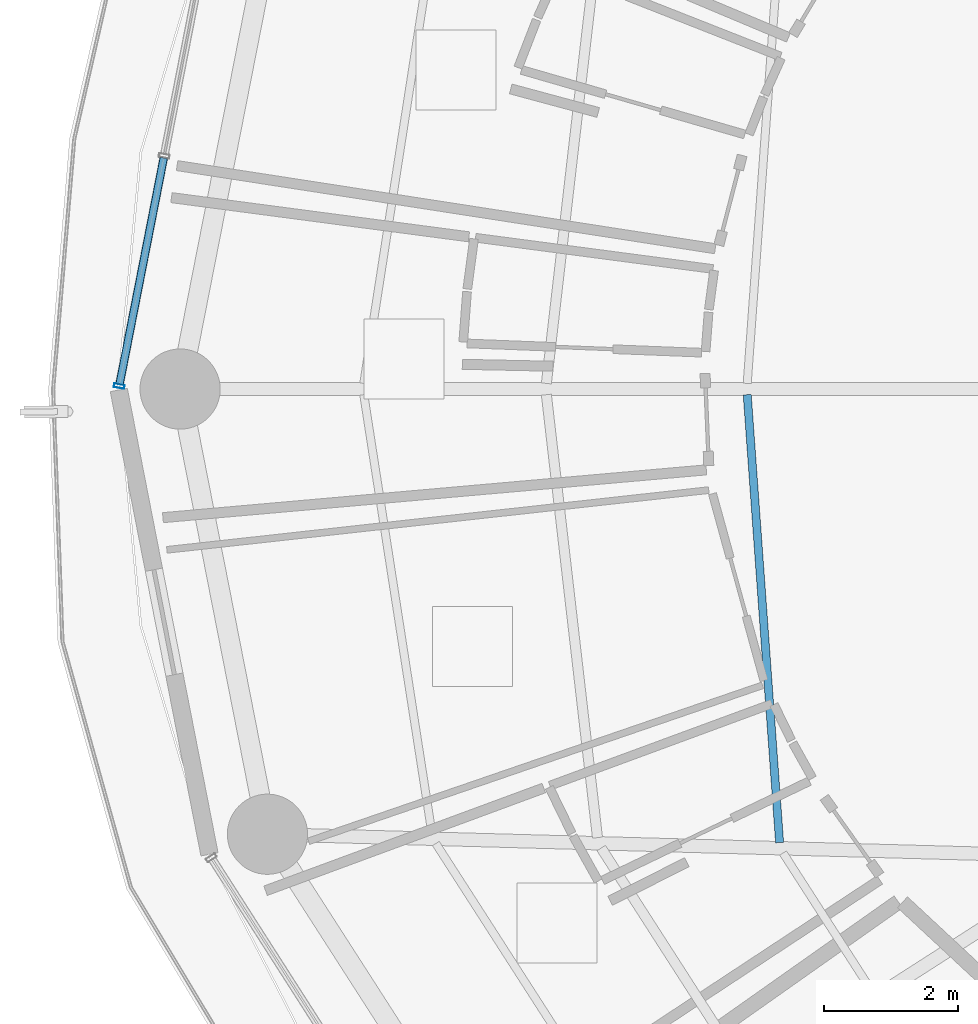
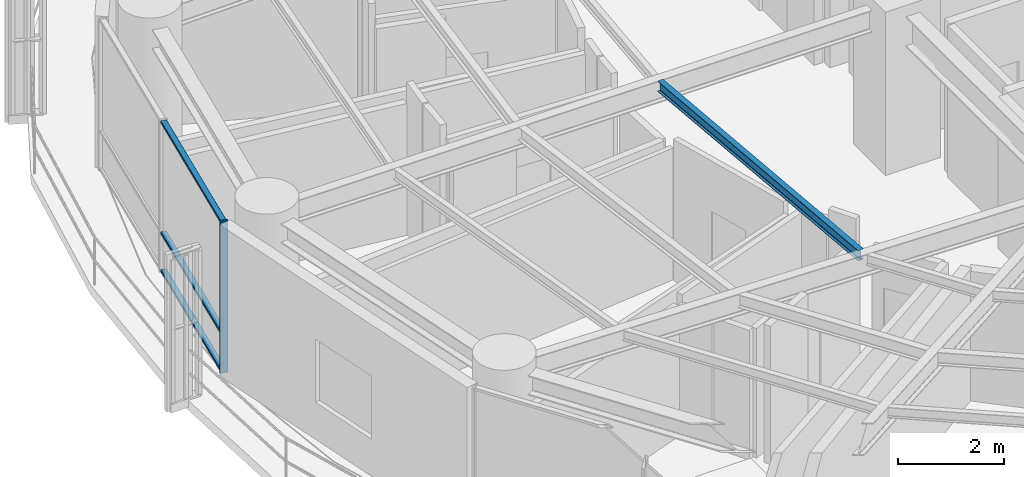
# One storey, part 6 of 27: 4 members, 1 beam, 1 element without a shape of its own.
"""IFC4 building model written with IfcOpenShell, lengths in metres."""

import ifcopenshell
import ifcopenshell.guid

model = None  # the IFC model being written
_history = None  # IfcOwnerHistory: only IFC2X3 demands one
_inside = {}  # id of a spatial element -> (the spatial element, [elements in it])
_under = {}  # id of a project, library or spatial element -> (it, [spatial elements below it])
_declared = {}  # id of a project -> (the project, [libraries it declares])
_typed = {}  # id of a type object -> (the type object, [elements of that type])
_made_of = {}  # id of a material, layer set ... -> (it, [elements and type objects made of it])


def new_model(schema):
    """Start an empty IFC model of exactly this schema.

    Asked for "IFC4X3", IfcOpenShell would pick the latest addendum, in which some entities
    have other attributes; the version numbers below select the first issue.
    IFC2X3 requires an IfcOwnerHistory on every rooted entity: one is made here for all.
    """
    global model, _history
    if schema == "IFC4X3":
        model = ifcopenshell.file(schema_version=(4, 3, 0, 0))
    else:
        model = ifcopenshell.file(schema=schema)
    _inside.clear()
    _under.clear()
    _declared.clear()
    _typed.clear()
    _made_of.clear()
    _history = None
    if model.schema == "IFC2X3":
        org = make("IfcOrganization", Name="unknown")
        user = make(
            "IfcPersonAndOrganization",
            ThePerson=make("IfcPerson", FamilyName="unknown"),
            TheOrganization=org,
        )
        app = make(
            "IfcApplication",
            ApplicationDeveloper=org,
            Version="unknown",
            ApplicationFullName="unknown",
            ApplicationIdentifier="unknown",
        )
        _history = make(
            "IfcOwnerHistory",
            OwningUser=user,
            OwningApplication=app,
            ChangeAction="ADDED",
            CreationDate=0,
        )
    return model


def make(cls, **values):
    """One entity of the class cls with the attributes given. An attribute that is None is left unset."""
    return model.create_entity(
        cls, **{name: value for name, value in values.items() if value is not None}
    )


def rooted(cls, **values):
    """An entity with a GlobalId (a new one), such as an element, a storey or a relation."""
    return make(cls, GlobalId=ifcopenshell.guid.new(), OwnerHistory=_history, **values)


def si_unit(unit_type, name, prefix=None):
    """IfcSIUnit, for example si_unit("LENGTHUNIT", "METRE", prefix="MILLI")."""
    return make("IfcSIUnit", UnitType=unit_type, Prefix=prefix, Name=name)


def assignment(units):
    """IfcUnitAssignment: the units of a project."""
    return None if units is None else make("IfcUnitAssignment", Units=units)


def point(xyz):
    """IfcCartesianPoint."""
    return None if xyz is None else make("IfcCartesianPoint", Coordinates=xyz)


def direction(xyz):
    """IfcDirection."""
    return None if xyz is None else make("IfcDirection", DirectionRatios=xyz)


def frame(location, z_axis=None, x_axis=None):
    """IfcAxis2Placement3D, a coordinate frame: its origin and axes. An axis left out is left unset."""
    return make(
        "IfcAxis2Placement3D",
        Location=point(location),
        Axis=direction(z_axis),
        RefDirection=direction(x_axis),
    )


def frame_2d(location, x_axis=None):
    """IfcAxis2Placement2D, a coordinate frame in the plane: its origin and x axis."""
    return make(
        "IfcAxis2Placement2D", Location=point(location), RefDirection=direction(x_axis)
    )


def origin():
    """The frame at (0, 0, 0) with its axes left unset."""
    return frame((0.0, 0.0, 0.0))


def origin_2d():
    """The frame at (0, 0) in the plane with its x axis left unset."""
    return frame_2d((0.0, 0.0))


def place(relative_to, where):
    """IfcLocalPlacement: puts the frame where relative to a parent placement (None: the world)."""
    return make(
        "IfcLocalPlacement", PlacementRelTo=relative_to, RelativePlacement=where
    )


def context(
    kind, dimensions, precision=None, world=None, true_north=None, identifier=None
):
    """IfcGeometricRepresentationContext, for example the 3D "Model" context."""
    return make(
        "IfcGeometricRepresentationContext",
        ContextIdentifier=identifier,
        ContextType=kind,
        CoordinateSpaceDimension=dimensions,
        Precision=precision,
        WorldCoordinateSystem=world,
        TrueNorth=true_north,
    )


def subcontext(parent, identifier, kind, view, scale=None):
    """IfcGeometricRepresentationSubContext, for example "Body" below "Model"."""
    return make(
        "IfcGeometricRepresentationSubContext",
        ContextIdentifier=identifier,
        ContextType=kind,
        ParentContext=parent,
        TargetScale=scale,
        TargetView=view,
    )


def project(units=None, contexts=None):
    """IfcProject with its units and contexts."""
    return rooted(
        "IfcProject",
        Name="project",
        RepresentationContexts=contexts,
        UnitsInContext=assignment(units),
    )


def spatial(cls, under=None, at=None, **own):
    """A site, building, storey or space (cls), placed at a placement, below another one or the project."""
    s = rooted(cls, ObjectPlacement=at, **own)
    if under is not None:
        _under.setdefault(under.id(), (under, []))[1].append(s)
    return s


def profile(cls, at=None, kind="AREA", **sizes):
    """A parametric profile (cls). Its sizes go by their IFC names, for example OverallWidth=200.0."""
    return make(cls, ProfileType=kind, Position=at, **sizes)


def hollow_rectangle(**sizes):
    """IfcRectangleHollowProfileDef."""
    return profile("IfcRectangleHollowProfileDef", **sizes)


def i_section(**sizes):
    """IfcIShapeProfileDef."""
    return profile("IfcIShapeProfileDef", **sizes)


def extrude(swept, where, along, depth):
    """IfcExtrudedAreaSolid: the profile swept, set in the frame where, extruded along a direction by depth."""
    return make(
        "IfcExtrudedAreaSolid",
        SweptArea=swept,
        Position=where,
        ExtrudedDirection=direction(along),
        Depth=depth,
    )


def shape(context_of_items, identifier, shape_type, items):
    """IfcShapeRepresentation: the items that make up one representation, for example the "Body"."""
    return make(
        "IfcShapeRepresentation",
        ContextOfItems=context_of_items,
        RepresentationIdentifier=identifier,
        RepresentationType=shape_type,
        Items=items,
    )


def material(Name=None, Category=None):
    """IfcMaterial."""
    return make("IfcMaterial", Name=Name, Category=Category)


def layer(
    of_material, thickness, ventilated=None, Name=None, Category=None, Priority=None
):
    """IfcMaterialLayer: one layer of a wall or slab, of a material (None: an air gap)."""
    return make(
        "IfcMaterialLayer",
        Material=of_material,
        LayerThickness=thickness,
        IsVentilated=ventilated,
        Name=Name,
        Category=Category,
        Priority=Priority,
    )


def layer_set(layers, Name=None):
    """IfcMaterialLayerSet."""
    return make("IfcMaterialLayerSet", MaterialLayers=layers, LayerSetName=Name)


def material_profile(
    of_material, cross_section, Name=None, Category=None, Priority=None
):
    """IfcMaterialProfile: a cross section and its material."""
    return make(
        "IfcMaterialProfile",
        Name=Name,
        Material=of_material,
        Profile=cross_section,
        Priority=Priority,
        Category=Category,
    )


def profile_set(profiles, Name=None, composite=None):
    """IfcMaterialProfileSet."""
    return make(
        "IfcMaterialProfileSet",
        Name=Name,
        MaterialProfiles=profiles,
        CompositeProfile=composite,
    )


def made_of(thing, what):
    """Note that an element or type object is made of a material, layer set ...; save() writes the relation."""
    if what is not None:
        _made_of.setdefault(what.id(), (what, []))[1].append(thing)
    return thing


def type_object(cls, material=None, **own):
    """A type object (cls), such as IfcWallType, which elements share."""
    return made_of(rooted(cls, **own), material)


def element(
    cls,
    number,
    at=None,
    inside=None,
    cuts=None,
    type_object=None,
    material=None,
    context=None,
    identifier="Body",
    shape_type=None,
    held_by="IfcProductDefinitionShape",
    body=None,
    shapes=None,
    **own,
):
    """One element of the class cls, such as IfcWall. Its Tag is "e" and its number.

    at: its placement. inside: the storey or other place that contains it. cuts: it is an
    opening in that element (IfcRelVoidsElement). A single representation is given by context,
    identifier, shape_type and body (its items); several are given by shapes. held_by: the class
    of the entity that holds the representations. save() writes the other relations.
    """
    e = rooted(cls, Tag="e%d" % number, ObjectPlacement=at, **own)
    if body is not None:
        shapes = [shape(context, identifier, shape_type, body)]
    if shapes is not None:
        e.Representation = make(held_by, Representations=shapes)
    if inside is not None:
        _inside.setdefault(inside.id(), (inside, []))[1].append(e)
    if cuts is not None:
        rooted(
            "IfcRelVoidsElement", RelatingBuildingElement=cuts, RelatedOpeningElement=e
        )
    if type_object is not None:
        _typed.setdefault(type_object.id(), (type_object, []))[1].append(e)
    return made_of(e, material)


def aggregate(whole, parts):
    """IfcRelAggregates: a whole, such as a stair, and the parts it consists of."""
    return rooted("IfcRelAggregates", RelatingObject=whole, RelatedObjects=parts)


def save(model, path):
    """Write the relations noted so far, then the file.

    IfcRelAggregates (storeys below a building ...), IfcRelContainedInSpatialStructure (elements
    in a storey), IfcRelDefinesByType, IfcRelAssociatesMaterial and IfcRelDeclares: one each for
    every whole, place, type object, material and project.
    """
    for whole, parts in _under.values():
        aggregate(whole, parts)
    for where, things in _inside.values():
        rooted(
            "IfcRelContainedInSpatialStructure",
            RelatedElements=things,
            RelatingStructure=where,
        )
    for kind, things in _typed.values():
        rooted("IfcRelDefinesByType", RelatedObjects=things, RelatingType=kind)
    for what, things in _made_of.values():
        rooted("IfcRelAssociatesMaterial", RelatedObjects=things, RelatingMaterial=what)
    for by, libraries in _declared.values():
        rooted("IfcRelDeclares", RelatingContext=by, RelatedDefinitions=libraries)
    model.write(path)


model = new_model("IFC4")

# Units and contexts
model_context = context("Model", 3, precision=1e-05, world=origin(), true_north=direction((0.0, 1.0)))
body_context = subcontext(model_context, "Body", "Model", "MODEL_VIEW")
ifc_project = project(units=[si_unit("LENGTHUNIT", "METRE"), si_unit("AREAUNIT", "SQUARE_METRE"), si_unit("VOLUMEUNIT", "CUBIC_METRE"), si_unit("PLANEANGLEUNIT", "RADIAN"), si_unit("MASSUNIT", "GRAM", prefix="KILO")], contexts=[model_context])

# Site, building, storey
site_placement = place(None, origin())
site = spatial("IfcSite", under=ifc_project, at=site_placement, CompositionType="ELEMENT")
building_placement = place(site_placement, origin())
building = spatial("IfcBuilding", under=site, at=building_placement, Name="Kelanora Arch Commons", CompositionType="ELEMENT")
storey_placement = place(building_placement, frame((0.0, 0.0, 169.35009765625)))
storey = spatial("IfcBuildingStorey", under=building, at=storey_placement, Name="L43", CompositionType="ELEMENT", Elevation=169.35009765625)

# Beam
ifc_material_1 = material(Name="Steel S355", Category="steel")
ifc_material_profile_1 = material_profile(ifc_material_1, i_section(OverallWidth=0.1201171875, OverallDepth=0.239990234375, WebThickness=0.006103515625, FlangeThickness=0.009765625, FilletRadius=0.014892578125, at=origin_2d()), Name="IPE240")
ifc_profile_set_1 = profile_set([ifc_material_profile_1], Name="Steel S355")
beam_type = type_object("IfcBeamType", Name="BM-JST-02", PredefinedType="JOIST", material=ifc_profile_set_1)
beam_placement = place(storey_placement, frame((60.8076171875, 57.915283203125, 3.369873046875), z_axis=(0.072117123738, -0.997396170267, 0.0), x_axis=(0.997396170267, 0.072117123738, 0.0)))
element("IfcBeam", 1, at=beam_placement, inside=storey, type_object=beam_type, Name="Secondary Chord Joist BJA-18 L43", PredefinedType="JOIST", context=body_context, shape_type="SweptSolid", body=[
    extrude(i_section(OverallWidth=0.1201171875, OverallDepth=0.239990234375, WebThickness=0.006103515625, FlangeThickness=0.009765625, FilletRadius=0.014892578125, at=origin_2d()), origin(), (0.0, 0.0, 1.0), 6.719970703125),
])

# Curtain wall, members
ifc_material_2 = material(Name="Terracotta ceramic-fritted low-E glass and aluminium", Category="masonry")
ifc_layer = layer(ifc_material_2, 0.175048828125)
ifc_layer_set = layer_set([ifc_layer], Name="Terracotta ceramic-fritted low-E glass and aluminium")
curtain_wall_type = type_object("IfcCurtainWallType", Name="CW-SYS-02", PredefinedType="NOTDEFINED", material=ifc_layer_set)
curtain_wall_placement = place(storey_placement, origin())
curtain_wall = element("IfcCurtainWall", 2, at=curtain_wall_placement, inside=storey, type_object=curtain_wall_type, Name="Unitised Curtain Wall L43-B08", PredefinedType="NOTDEFINED")
ifc_material_3 = material(Name="Powder-coated aluminium terracotta", Category="masonry")
ifc_material_profile_2 = material_profile(ifc_material_3, hollow_rectangle(XDim=0.159912109375, YDim=0.06005859375, WallThickness=0.0048828125, InnerFilletRadius=0.0048828125, OuterFilletRadius=0.010009765625, at=origin_2d()), Name="CWM160x60")
ifc_profile_set_2 = profile_set([ifc_material_profile_2], Name="Powder-coated aluminium terracotta")
member_type_1 = type_object("IfcMemberType", Name="CWM-STD", PredefinedType="MULLION", material=ifc_profile_set_2)
member_1_placement = place(storey_placement, frame((51.40869140625, 58.044189453125, 0.0), z_axis=(0.0, 0.0, 1.0), x_axis=(0.981452557718, -0.191705182375, 0.0)))
member_1 = element("IfcMember", 3, at=member_1_placement, type_object=member_type_1, Name="CW-02 mullion 3", PredefinedType="MULLION", context=body_context, shape_type="SweptSolid", body=[
    extrude(hollow_rectangle(XDim=0.159912109375, YDim=0.06005859375, WallThickness=0.0048828125, InnerFilletRadius=0.0048828125, OuterFilletRadius=0.010009765625, at=origin_2d()), origin(), (0.0, 0.0, 1.0), 3.474853515625),
])
ifc_material_profile_3 = material_profile(ifc_material_3, hollow_rectangle(XDim=0.1201171875, YDim=0.06005859375, WallThickness=0.0048828125, InnerFilletRadius=0.0048828125, OuterFilletRadius=0.010009765625, at=origin_2d()), Name="CWT120x60")
ifc_profile_set_3 = profile_set([ifc_material_profile_3], Name="Powder-coated aluminium terracotta")
member_type_2 = type_object("IfcMemberType", Name="CWT-STD", PredefinedType="USERDEFINED", material=ifc_profile_set_3)
member_2_placement = place(storey_placement, frame((52.07568359375, 61.459228515625, 0.02978515625), z_axis=(-0.191718206447, -0.981450013662, 0.0), x_axis=(0.981450013662, -0.191718206447, 0.0)))
member_2 = element("IfcMember", 4, at=member_2_placement, type_object=member_type_2, Name="CW-02 transom 2.1", ObjectType="TRANSOM", PredefinedType="USERDEFINED", context=body_context, shape_type="SweptSolid", body=[
    extrude(hollow_rectangle(XDim=0.1201171875, YDim=0.06005859375, WallThickness=0.0048828125, InnerFilletRadius=0.0048828125, OuterFilletRadius=0.010009765625, at=origin_2d()), origin(), (0.0, 0.0, 1.0), 3.44970703125),
])
member_3_placement = place(storey_placement, frame((52.07568359375, 61.459228515625, 0.89990234375), z_axis=(-0.191718206447, -0.981450013662, 0.0), x_axis=(0.981450013662, -0.191718206447, 0.0)))
member_3 = element("IfcMember", 5, at=member_3_placement, type_object=member_type_2, Name="CW-02 transom 2.2", ObjectType="TRANSOM", PredefinedType="USERDEFINED", context=body_context, shape_type="SweptSolid", body=[
    extrude(hollow_rectangle(XDim=0.1201171875, YDim=0.06005859375, WallThickness=0.0048828125, InnerFilletRadius=0.0048828125, OuterFilletRadius=0.010009765625, at=origin_2d()), origin(), (0.0, 0.0, 1.0), 3.44970703125),
])
member_4_placement = place(storey_placement, frame((52.07568359375, 61.459228515625, 3.44482421875), z_axis=(-0.191718206447, -0.981450013662, 0.0), x_axis=(0.981450013662, -0.191718206447, 0.0)))
member_4 = element("IfcMember", 6, at=member_4_placement, type_object=member_type_2, Name="CW-02 transom 2.3", ObjectType="TRANSOM", PredefinedType="USERDEFINED", context=body_context, shape_type="SweptSolid", body=[
    extrude(hollow_rectangle(XDim=0.1201171875, YDim=0.06005859375, WallThickness=0.0048828125, InnerFilletRadius=0.0048828125, OuterFilletRadius=0.010009765625, at=origin_2d()), origin(), (0.0, 0.0, 1.0), 3.44970703125),
])
aggregate(curtain_wall, [member_1, member_2, member_3, member_4])

save(model, "model.ifc")
